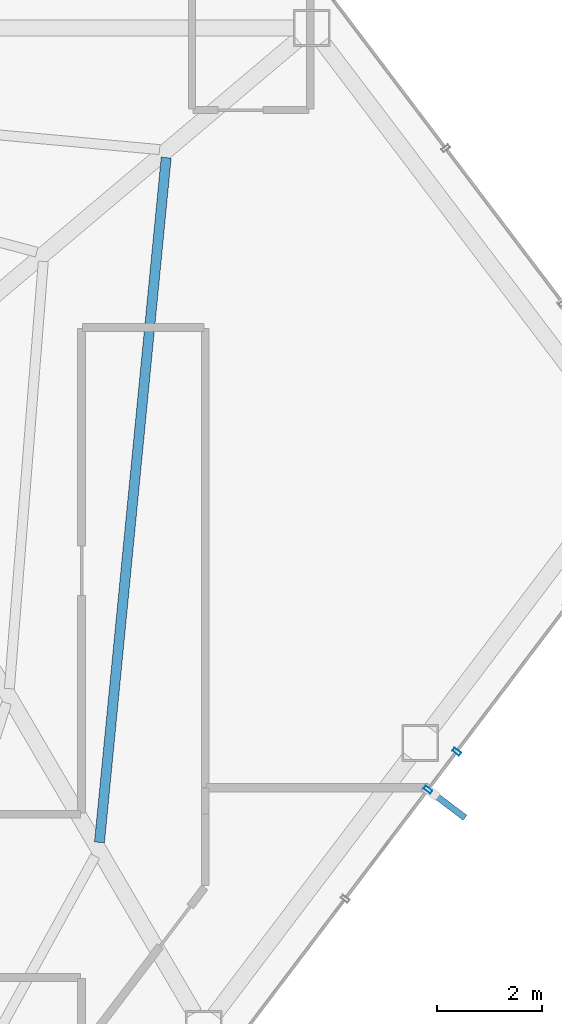
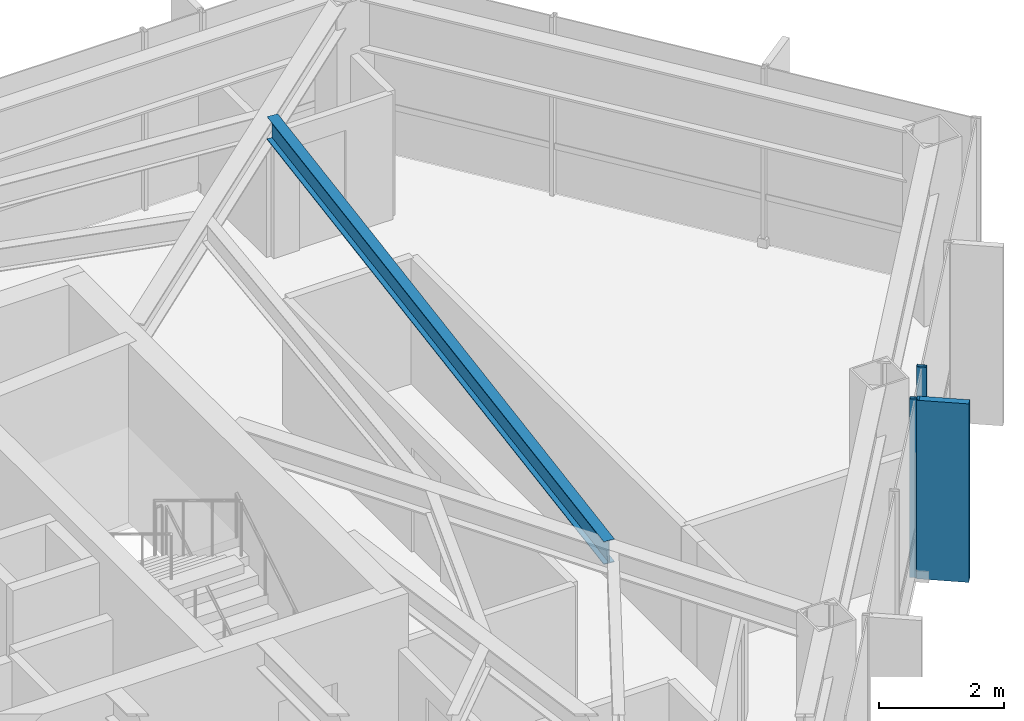
# One storey, part 20 of 28: 3 members, 1 beam, 1 element without a shape of its own.
"""IFC4 building model written with IfcOpenShell, lengths in metres."""

from ifc_helpers import new_model, si_unit, direction, frame, origin, origin_2d, place, context, subcontext, project, spatial, rectangle, hollow_rectangle, i_section, extrude, material, layer, layer_set, material_profile, profile_set, type_object, element, aggregate, save


model = new_model("IFC4")

# Units and contexts
model_context = context("Model", 3, precision=1e-05, world=origin(), true_north=direction((0.0, 1.0)))
body_context = subcontext(model_context, "Body", "Model", "MODEL_VIEW")
ifc_project = project(units=[si_unit("LENGTHUNIT", "METRE"), si_unit("AREAUNIT", "SQUARE_METRE"), si_unit("VOLUMEUNIT", "CUBIC_METRE"), si_unit("PLANEANGLEUNIT", "RADIAN"), si_unit("MASSUNIT", "GRAM", prefix="KILO")], contexts=[model_context])

# Site, building, storey
site_placement = place(None, origin())
site = spatial("IfcSite", under=ifc_project, at=site_placement, CompositionType="ELEMENT")
building_placement = place(site_placement, origin())
building = spatial("IfcBuilding", under=site, at=building_placement, Name="Zarrinselat Tower", CompositionType="ELEMENT")
storey_placement = place(building_placement, frame((0.0, 0.0, 168.300048828125)))
storey = spatial("IfcBuildingStorey", under=building, at=storey_placement, Name="L41", CompositionType="ELEMENT", Elevation=168.300048828125)

# Beam
ifc_material_1 = material(Name="Steel S355J2", Category="steel")
ifc_material_profile_1 = material_profile(ifc_material_1, i_section(OverallWidth=0.18994140625, OverallDepth=0.449951171875, WebThickness=0.009521484375, FlangeThickness=0.0146484375, at=origin_2d()), Name="IPE 450")
ifc_profile_set_1 = profile_set([ifc_material_profile_1], Name="Steel S355J2")
beam_type = type_object("IfcBeamType", Name="BM-IPE450", PredefinedType="JOIST", material=ifc_profile_set_1)
beam_placement = place(storey_placement, frame((51.98974609375, 32.715087890625, 3.27490234375), z_axis=(0.096972284991, 0.995287082175, 0.0), x_axis=(-0.995287082175, 0.096972284991, 0.0)))
element("IfcBeam", 1, at=beam_placement, inside=storey, type_object=beam_type, Name="L41 Composite Floor Joist 5-1", PredefinedType="JOIST", context=body_context, shape_type="SweptSolid", body=[
    extrude(i_section(OverallWidth=0.18994140625, OverallDepth=0.449951171875, WebThickness=0.009521484375, FlangeThickness=0.0146484375, at=origin_2d()), origin(), (0.0, 0.0, 1.0), 13.073974609375),
])

# Curtain wall, members
ifc_material_2 = material(Name="Extruded Aluminium Alloy EN AW-6063 T6", Category="aluminium")
ifc_layer = layer(ifc_material_2, 0.175048828125)
ifc_layer_set = layer_set([ifc_layer], Name="Extruded Aluminium Alloy EN AW-6063 T6")
curtain_wall_type = type_object("IfcCurtainWallType", Name="CWS-HTL", PredefinedType="NOTDEFINED", material=ifc_layer_set)
curtain_wall_placement = place(storey_placement, origin())
curtain_wall = element("IfcCurtainWall", 2, at=curtain_wall_placement, inside=storey, type_object=curtain_wall_type, Name="L41 Unitised Curtain Wall CW-L41-E05", PredefinedType="NOTDEFINED")
ifc_material_3 = material(Name="Extruded Aluminium Alloy EN AW-6063 T6", Category="aluminium")
ifc_material_profile_2 = material_profile(ifc_material_3, hollow_rectangle(XDim=0.070068359375, YDim=0.159912109375, WallThickness=0.00390625, at=origin_2d()), Name="RHS 160x70x4")
ifc_profile_set_2 = profile_set([ifc_material_profile_2], Name="Extruded Aluminium Alloy EN AW-6063 T6")
member_type_1 = type_object("IfcMemberType", Name="MEM-CW-MUL2", PredefinedType="MULLION", material=ifc_profile_set_2)
member_1_placement = place(storey_placement, frame((58.2314453125, 33.71630859375, 0.0), z_axis=(0.0, 0.0, 1.0), x_axis=(0.603858853713, 0.797091265033, 0.0)))
member_1 = element("IfcMember", 3, at=member_1_placement, type_object=member_type_1, Name="CW-L41-E05 Mullion 7", PredefinedType="MULLION", context=body_context, shape_type="SweptSolid", body=[
    extrude(hollow_rectangle(XDim=0.070068359375, YDim=0.159912109375, WallThickness=0.00390625, at=origin_2d()), origin(), (0.0, 0.0, 1.0), 3.5),
])
member_2_placement = place(storey_placement, frame((58.778564453125, 34.438720703125, 0.0), z_axis=(0.0, 0.0, 1.0), x_axis=(0.603858853713, 0.797091265033, 0.0)))
member_2 = element("IfcMember", 4, at=member_2_placement, type_object=member_type_1, Name="CW-L41-E05 Mullion 8", PredefinedType="MULLION", context=body_context, shape_type="SweptSolid", body=[
    extrude(hollow_rectangle(XDim=0.070068359375, YDim=0.159912109375, WallThickness=0.00390625, at=origin_2d()), origin(), (0.0, 0.0, 1.0), 3.5),
])
ifc_material_4 = material(Name="Honed Cream Travertine Stone", Category="masonry")
ifc_material_profile_3 = material_profile(ifc_material_4, rectangle(XDim=0.1201171875, YDim=0.85009765625, at=origin_2d()), Name="FIN 850x120")
ifc_profile_set_3 = profile_set([ifc_material_profile_3], Name="Honed Cream Travertine Stone")
member_type_2 = type_object("IfcMemberType", Name="MEM-STONE-FIN", PredefinedType="USERDEFINED", material=ifc_profile_set_3)
member_3_placement = place(storey_placement, frame((58.59814453125, 33.438720703125, 0.0), z_axis=(0.0, 0.0, 1.0), x_axis=(-0.603858853713, -0.797091265033, 0.0)))
member_3 = element("IfcMember", 5, at=member_3_placement, type_object=member_type_2, Name="L41 Stone Shading Fin CW-L41-E05-07", ObjectType="FIN", PredefinedType="USERDEFINED", context=body_context, shape_type="SweptSolid", body=[
    extrude(rectangle(XDim=0.1201171875, YDim=0.85009765625, at=origin_2d()), origin(), (0.0, 0.0, 1.0), 3.5),
])
aggregate(curtain_wall, [member_1, member_3, member_2])

save(model, "model.ifc")
